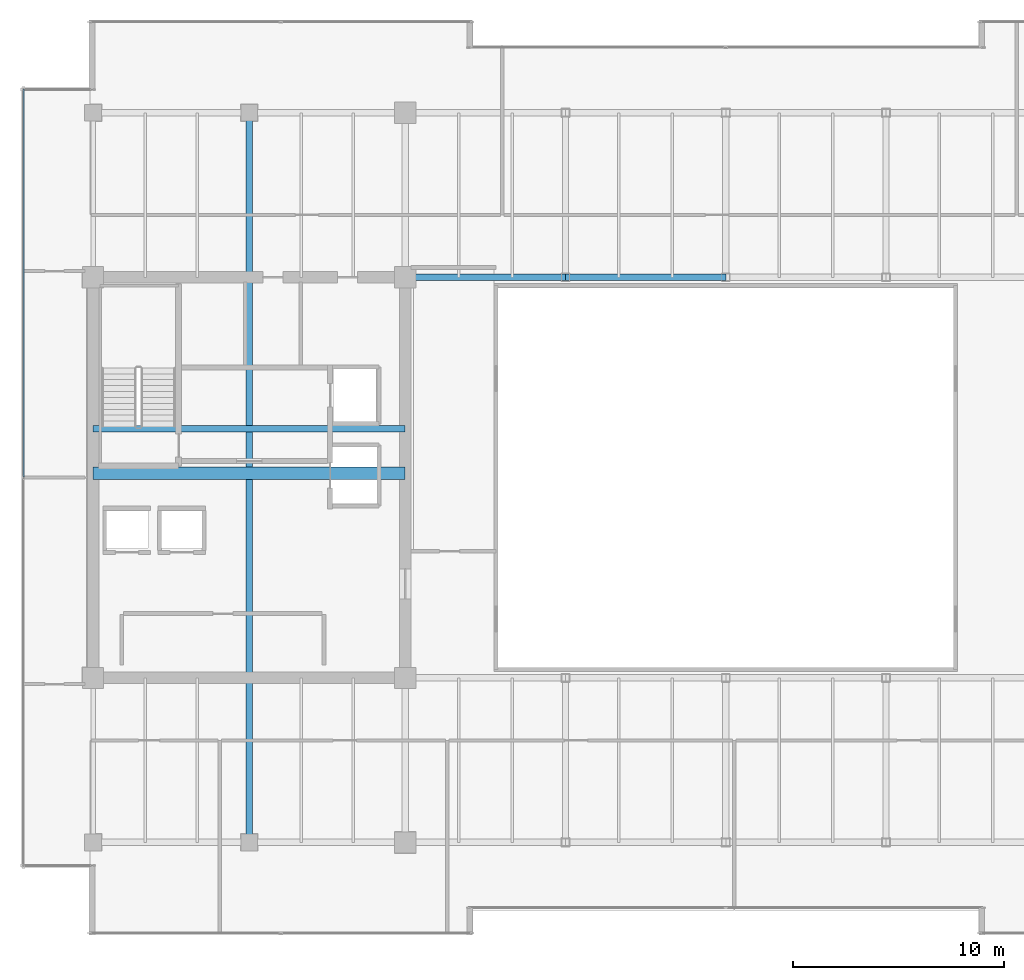
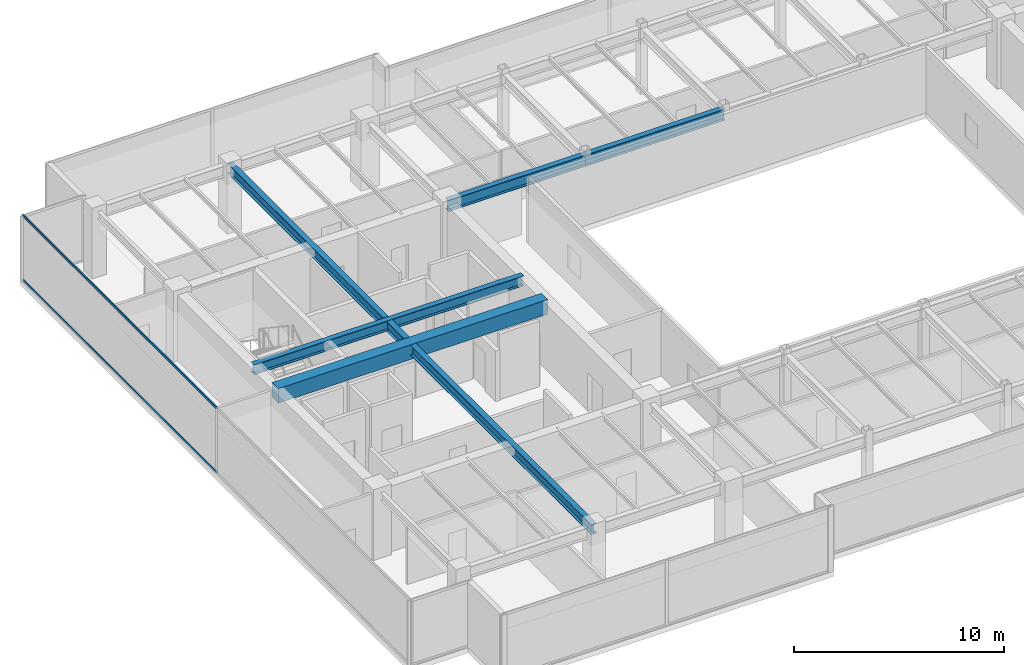
# One storey, part 10 of 36: 5 beams, 2 members, 1 element without a shape of its own.
"""IFC4 building model written with IfcOpenShell, lengths in metres."""

from ifc_helpers import new_model, si_unit, direction, frame, origin, origin_2d, place, context, subcontext, project, spatial, rectangle, hollow_rectangle, i_section, extrude, source, transform, mapped, material, layer, layer_set, material_profile, profile_set, type_object, type_shapes, element, aggregate, save


model = new_model("IFC4")

# Units and contexts
model_context = context("Model", 3, precision=1e-05, world=origin(), true_north=direction((0.0, 1.0)))
body_context = subcontext(model_context, "Body", "Model", "MODEL_VIEW")
ifc_project = project(units=[si_unit("LENGTHUNIT", "METRE"), si_unit("AREAUNIT", "SQUARE_METRE"), si_unit("VOLUMEUNIT", "CUBIC_METRE"), si_unit("PLANEANGLEUNIT", "RADIAN"), si_unit("MASSUNIT", "GRAM", prefix="KILO")], contexts=[model_context])

# Site, building, storey
site_placement = place(None, origin())
site = spatial("IfcSite", under=ifc_project, at=site_placement, CompositionType="ELEMENT")
building_placement = place(site_placement, origin())
building = spatial("IfcBuilding", under=site, at=building_placement, Name="Haelvirn Gate Laboratories", CompositionType="ELEMENT")
storey_placement = place(building_placement, frame((0.0, 0.0, 262.89990234375)))
storey = spatial("IfcBuildingStorey", under=building, at=storey_placement, Name="L63", CompositionType="ELEMENT", Elevation=262.89990234375)

# Beams
ifc_material_1 = material(Name="Steel SM355", Category="steel")
ifc_material_profile_1 = material_profile(ifc_material_1, i_section(OverallWidth=0.300048828125, OverallDepth=0.587890625, WebThickness=0.011962890625, FlangeThickness=0.02001953125, at=origin_2d()), Name="H-588x300x12x20")
ifc_profile_set_1 = profile_set([ifc_material_profile_1], Name="Steel SM355")
beam_type_1 = type_object("IfcBeamType", Name="BM-G-588", PredefinedType="BEAM", material=ifc_profile_set_1)
shared_shape_1 = source(origin(), body_context, "Body", "SweptSolid", [
    extrude(i_section(OverallWidth=0.300048828125, OverallDepth=0.587890625, WebThickness=0.011962890625, FlangeThickness=0.02001953125, at=origin_2d()), origin(), (0.0, 0.0, 1.0), 14.800048828125),
])
beam_1_placement = place(storey_placement, frame((7.39990234375, 26.6201171875, 3.506103515625), z_axis=(1.0, 0.0, 0.0), x_axis=(0.0, 1.0, 0.0)))
element("IfcBeam", 1, at=beam_1_placement, inside=storey, type_object=beam_type_1, Name="L63 Stair ST1 Landing Header", PredefinedType="BEAM", context=body_context, shape_type="MappedRepresentation", body=[
    mapped(shared_shape_1, transform((0.0, 0.0, 0.0), scale=1.0)),
])
shared_shape_2 = source(origin(), body_context, "Body", "SweptSolid", [
    extrude(i_section(OverallWidth=0.300048828125, OverallDepth=0.587890625, WebThickness=0.011962890625, FlangeThickness=0.02001953125, at=origin_2d()), origin(), (0.0, 0.0, 1.0), 34.60009765625),
])
type_shapes(beam_type_1, [shared_shape_1, shared_shape_2])
beam_2_placement = place(storey_placement, frame((14.800048828125, 7.0, 3.506103515625), z_axis=(0.0, 1.0, 0.0), x_axis=(-1.0, 0.0, 0.0)))
element("IfcBeam", 2, at=beam_2_placement, inside=storey, type_object=beam_type_1, Name="L63 Frame Girder X14.8 (7.0-41.6)", PredefinedType="BEAM", context=body_context, shape_type="MappedRepresentation", body=[
    mapped(shared_shape_2, transform((0.0, 0.0, 0.0), scale=1.0)),
])
ifc_material_2 = material(Name="Concrete C50/60", Category="concrete")
ifc_material_profile_2 = material_profile(ifc_material_2, rectangle(XDim=0.60009765625, YDim=0.85009765625, at=origin_2d()), Name="RCB-600x850")
ifc_profile_set_2 = profile_set([ifc_material_profile_2], Name="Concrete C50/60")
beam_type_2 = type_object("IfcBeamType", Name="BM-RCB-850", PredefinedType="LINTEL", material=ifc_profile_set_2)
shared_shape_3 = source(origin(), body_context, "Body", "SweptSolid", [
    extrude(rectangle(XDim=0.60009765625, YDim=0.85009765625, at=origin_2d()), origin(), (0.0, 0.0, 1.0), 14.800048828125),
])
type_shapes(beam_type_2, [shared_shape_3])
beam_3_placement = place(storey_placement, frame((7.39990234375, 24.5, 3.375), z_axis=(1.0, 0.0, 0.0), x_axis=(0.0, 1.0, 0.0)))
element("IfcBeam", 3, at=beam_3_placement, inside=storey, type_object=beam_type_2, Name="L63 West Core Coupling Beam", PredefinedType="LINTEL", context=body_context, shape_type="MappedRepresentation", body=[
    mapped(shared_shape_3, transform((0.0, 0.0, 0.0), scale=1.0)),
])
ifc_material_profile_3 = material_profile(ifc_material_1, i_section(OverallWidth=0.300048828125, OverallDepth=0.64990234375, WebThickness=0.012939453125, FlangeThickness=0.02197265625, at=origin_2d()), Name="H-650x300x13x22")
ifc_profile_set_3 = profile_set([ifc_material_profile_3], Name="Steel SM355")
beam_type_3 = type_object("IfcBeamType", Name="BM-G-650", PredefinedType="BEAM", material=ifc_profile_set_3)
shared_shape_4 = source(origin(), body_context, "Body", "SweptSolid", [
    extrude(i_section(OverallWidth=0.300048828125, OverallDepth=0.64990234375, WebThickness=0.012939453125, FlangeThickness=0.02197265625, at=origin_2d()), origin(), (0.0, 0.0, 1.0), 7.60009765625),
])
beam_4_placement = place(storey_placement, frame((22.199951171875, 33.800048828125, 3.47509765625), z_axis=(1.0, 0.0, 0.0), x_axis=(0.0, 1.0, 0.0)))
element("IfcBeam", 4, at=beam_4_placement, inside=storey, type_object=beam_type_3, Name="L63 Primary Girder Y33.8 (22.2-29.8)", PredefinedType="BEAM", context=body_context, shape_type="MappedRepresentation", body=[
    mapped(shared_shape_4, transform((0.0, 0.0, 0.0), scale=1.0)),
])
shared_shape_5 = source(origin(), body_context, "Body", "SweptSolid", [
    extrude(i_section(OverallWidth=0.300048828125, OverallDepth=0.64990234375, WebThickness=0.012939453125, FlangeThickness=0.02197265625, at=origin_2d()), origin(), (0.0, 0.0, 1.0), 7.599853515625),
])
type_shapes(beam_type_3, [shared_shape_4, shared_shape_5])
beam_5_placement = place(storey_placement, frame((29.800048828125, 33.800048828125, 3.47509765625), z_axis=(1.0, 0.0, 0.0), x_axis=(0.0, 1.0, 0.0)))
element("IfcBeam", 5, at=beam_5_placement, inside=storey, type_object=beam_type_3, Name="L63 Primary Girder Y33.8 (29.8-37.4)", PredefinedType="BEAM", context=body_context, shape_type="MappedRepresentation", body=[
    mapped(shared_shape_5, transform((0.0, 0.0, 0.0), scale=1.0)),
])

# Curtain wall, members
ifc_material_3 = material(Name="Anodised bronze unitised aluminium & triple low-E glass", Category="aluminium")
ifc_layer = layer(ifc_material_3, 0.176025390625, Name="CW-SYS-4")
ifc_layer_set = layer_set([ifc_layer], Name="Anodised bronze unitised aluminium & triple low-E glass")
curtain_wall_type = type_object("IfcCurtainWallType", Name="CW-SYS-4", PredefinedType="NOTDEFINED", material=ifc_layer_set)
curtain_wall_placement = place(storey_placement, origin())
curtain_wall = element("IfcCurtainWall", 6, at=curtain_wall_placement, inside=storey, type_object=curtain_wall_type, Name="L63 Unitised Curtain Wall CW-L63-P0-E17", PredefinedType="NOTDEFINED")
ifc_material_4 = material(Name="Extruded aluminium 6063-T6 (anodised bronze)", Category="aluminium")
ifc_material_profile_4 = material_profile(ifc_material_4, hollow_rectangle(XDim=0.06494140625, YDim=0.139892578125, WallThickness=0.00390625, at=origin_2d()), Name="CWT-140x65x4")
ifc_profile_set_4 = profile_set([ifc_material_profile_4], Name="Extruded aluminium 6063-T6 (anodised bronze)")
member_type = type_object("IfcMemberType", Name="CWT-T140", PredefinedType="USERDEFINED", material=ifc_profile_set_4)
shared_shape_6 = source(origin(), body_context, "Body", "SweptSolid", [
    extrude(hollow_rectangle(XDim=0.06494140625, YDim=0.139892578125, WallThickness=0.00390625, at=origin_2d()), origin(), (0.0, 0.0, 1.0), 18.39501953125),
])
type_shapes(member_type, [shared_shape_6])
member_1_placement = place(storey_placement, frame((4.10009765625, 42.72998046875, 0.03271484375), z_axis=(0.0, -1.0, 0.0), x_axis=(1.0, 0.0, 0.0)))
member_1 = element("IfcMember", 7, at=member_1_placement, type_object=member_type, Name="CW4 transom 1.1", ObjectType="TRANSOM", PredefinedType="USERDEFINED", context=body_context, shape_type="MappedRepresentation", body=[
    mapped(shared_shape_6, transform((0.0, 0.0, 0.0), scale=1.0)),
])
member_2_placement = place(storey_placement, frame((4.10009765625, 42.72998046875, 3.767578125), z_axis=(0.0, -1.0, 0.0), x_axis=(1.0, 0.0, 0.0)))
member_2 = element("IfcMember", 8, at=member_2_placement, type_object=member_type, Name="CW4 transom 1.2", ObjectType="TRANSOM", PredefinedType="USERDEFINED", context=body_context, shape_type="MappedRepresentation", body=[
    mapped(shared_shape_6, transform((0.0, 0.0, 0.0), scale=1.0)),
])
aggregate(curtain_wall, [member_1, member_2])

save(model, "model.ifc")
